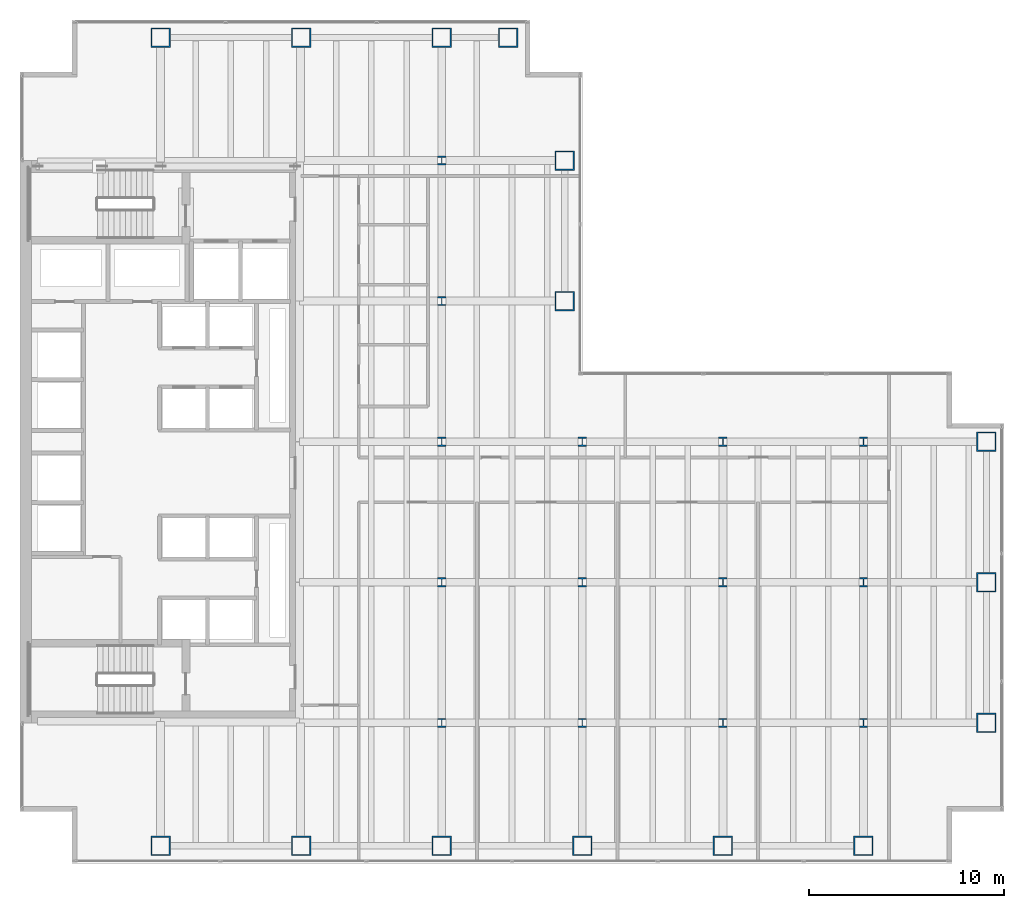
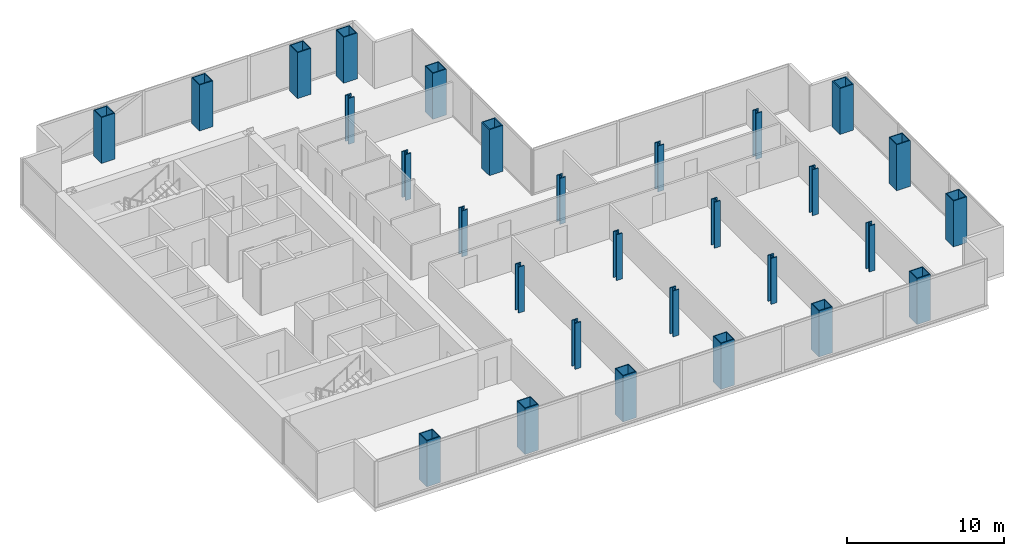
# One storey, part 1 of 23: 29 columns.
"""IFC4 building model written with IfcOpenShell, lengths in metres."""

from ifc_helpers import new_model, si_unit, direction, frame, origin, origin_2d, place, context, subcontext, project, spatial, hollow_rectangle, i_section, extrude, material, material_profile, profile_set, type_object, element, save


model = new_model("IFC4")

# Units and contexts
model_context = context("Model", 3, precision=1e-05, world=origin(), true_north=direction((0.0, 1.0)))
body_context = subcontext(model_context, "Body", "Model", "MODEL_VIEW")
ifc_project = project(units=[si_unit("LENGTHUNIT", "METRE"), si_unit("AREAUNIT", "SQUARE_METRE"), si_unit("VOLUMEUNIT", "CUBIC_METRE"), si_unit("PLANEANGLEUNIT", "RADIAN"), si_unit("MASSUNIT", "GRAM", prefix="KILO")], contexts=[model_context])

# Site, building, storey
site_placement = place(None, origin())
site = spatial("IfcSite", under=ifc_project, at=site_placement, CompositionType="ELEMENT")
building_placement = place(site_placement, origin())
building = spatial("IfcBuilding", under=site, at=building_placement, Name="Cobrela Telecom Tower", CompositionType="ELEMENT")
storey_placement = place(building_placement, frame((0.0, 0.0, 54.25)))
storey = spatial("IfcBuildingStorey", under=building, at=storey_placement, Name="L13", CompositionType="ELEMENT", Elevation=54.25)

# Columns
ifc_material_1 = material(Name="Steel ASTM A992 Grade 50", Category="steel")
ifc_material_profile_1 = material_profile(ifc_material_1, i_section(OverallWidth=0.422119140625, OverallDepth=0.465087890625, WebThickness=0.044921875, FlangeThickness=0.072509765625, FilletRadius=0.01806640625, at=origin_2d()), Name="W14X398")
ifc_profile_set_1 = profile_set([ifc_material_profile_1], Name="Steel ASTM A992 Grade 50")
column_type_1 = type_object("IfcColumnType", Name="COL-INT-04", PredefinedType="COLUMN", material=ifc_profile_set_1)
for number, where, z_axis, x_axis, name in (
    (1, (21.60009765625, 7.199951171875, 0.0), (0.0, 0.0, 1.0), (1.0, 0.0, 0.0), "L13 Interior Column 06"),
    (2, (21.60009765625, 14.39990234375, 0.0), (0.0, 0.0, 1.0), (1.0, 0.0, 0.0), "L13 Interior Column 07"),
    (3, (21.60009765625, 21.60009765625, 0.0), (0.0, 0.0, 1.0), (1.0, 0.0, 0.0), "L13 Interior Column 08"),
    (4, (21.60009765625, 28.800048828125, 0.0), (0.0, 0.0, 1.0), (1.0, 0.0, 0.0), "L13 Interior Column 09"),
    (5, (21.60009765625, 36.0, 0.0), (0.0, 0.0, 1.0), (1.0, 0.0, 0.0), "L13 Interior Column 10"),
    (6, (28.800048828125, 7.199951171875, 0.0), (0.0, 0.0, 1.0), (1.0, 0.0, 0.0), "L13 Interior Column 16"),
    (7, (28.800048828125, 14.39990234375, 0.0), (0.0, 0.0, 1.0), (1.0, 0.0, 0.0), "L13 Interior Column 17"),
    (8, (28.800048828125, 21.60009765625, 0.0), (0.0, 0.0, 1.0), (1.0, 0.0, 0.0), "L13 Interior Column 18"),
    (9, (36.0, 7.199951171875, 0.0), (0.0, 0.0, 1.0), (1.0, 0.0, 0.0), "L13 Interior Column 20"),
    (10, (36.0, 14.39990234375, 0.0), (0.0, 0.0, 1.0), (1.0, 0.0, 0.0), "L13 Interior Column 21"),
    (11, (36.0, 21.60009765625, 0.0), (0.0, 0.0, 1.0), (1.0, 0.0, 0.0), "L13 Interior Column 22"),
    (12, (43.199951171875, 7.199951171875, 0.0), (0.0, 0.0, 1.0), (1.0, 0.0, 0.0), "L13 Interior Column 24"),
    (13, (43.199951171875, 14.39990234375, 0.0), (0.0, 0.0, 1.0), (1.0, 0.0, 0.0), "L13 Interior Column 25"),
    (14, (43.199951171875, 21.60009765625, 0.0), (0.0, 0.0, 1.0), (1.0, 0.0, 0.0), "L13 Interior Column 26"),
):
    element("IfcColumn", number, at=place(storey_placement, frame(where, z_axis=z_axis, x_axis=x_axis)), inside=storey, type_object=column_type_1, Name=name, PredefinedType="COLUMN", context=body_context, shape_type="SweptSolid", body=[
        extrude(i_section(OverallWidth=0.422119140625, OverallDepth=0.465087890625, WebThickness=0.044921875, FlangeThickness=0.072509765625, FilletRadius=0.01806640625, at=origin_2d()), origin(), (0.0, 0.0, 1.0), 3.570068359375),
    ])
ifc_material_2 = material(Name="Steel ASTM A572 Grade 50", Category="steel")
ifc_material_profile_2 = material_profile(ifc_material_2, hollow_rectangle(XDim=1.0, YDim=1.0, WallThickness=0.06494140625, at=origin_2d()), Name="BOX 1000x1000x65")
ifc_profile_set_2 = profile_set([ifc_material_profile_2], Name="Steel ASTM A572 Grade 50")
column_type_2 = type_object("IfcColumnType", Name="COL-MEGA-03", PredefinedType="COLUMN", material=ifc_profile_set_2)
for number, where, z_axis, x_axis, name in (
    (15, (7.199951171875, 0.89990234375, 0.0), (0.0, 0.0, 1.0), (1.0, 0.0, 0.0), "L13 Perimeter Mega-Column 01"),
    (16, (7.199951171875, 42.300048828125, 0.0), (0.0, 0.0, 1.0), (1.0, 0.0, 0.0), "L13 Perimeter Mega-Column 02"),
    (17, (14.39990234375, 0.89990234375, 0.0), (0.0, 0.0, 1.0), (1.0, 0.0, 0.0), "L13 Perimeter Mega-Column 03"),
    (18, (14.39990234375, 42.300048828125, 0.0), (0.0, 0.0, 1.0), (1.0, 0.0, 0.0), "L13 Perimeter Mega-Column 04"),
    (19, (21.60009765625, 0.89990234375, 0.0), (0.0, 0.0, 1.0), (1.0, 0.0, 0.0), "L13 Perimeter Mega-Column 05"),
    (20, (21.60009765625, 42.300048828125, 0.0), (0.0, 0.0, 1.0), (1.0, 0.0, 0.0), "L13 Perimeter Mega-Column 11"),
    (21, (25.0, 42.300048828125, 0.0), (0.0, 0.0, 1.0), (1.0, 0.0, 0.0), "L13 Perimeter Mega-Column 12"),
    (22, (27.89990234375, 28.800048828125, 0.0), (0.0, 0.0, 1.0), (1.0, 0.0, 0.0), "L13 Perimeter Mega-Column 13"),
    (23, (27.89990234375, 36.0, 0.0), (0.0, 0.0, 1.0), (1.0, 0.0, 0.0), "L13 Perimeter Mega-Column 14"),
    (24, (28.800048828125, 0.89990234375, 0.0), (0.0, 0.0, 1.0), (1.0, 0.0, 0.0), "L13 Perimeter Mega-Column 15"),
    (25, (36.0, 0.89990234375, 0.0), (0.0, 0.0, 1.0), (1.0, 0.0, 0.0), "L13 Perimeter Mega-Column 19"),
    (26, (43.199951171875, 0.89990234375, 0.0), (0.0, 0.0, 1.0), (1.0, 0.0, 0.0), "L13 Perimeter Mega-Column 23"),
    (27, (49.5, 7.199951171875, 0.0), (0.0, 0.0, 1.0), (1.0, 0.0, 0.0), "L13 Perimeter Mega-Column 27"),
    (28, (49.5, 14.39990234375, 0.0), (0.0, 0.0, 1.0), (1.0, 0.0, 0.0), "L13 Perimeter Mega-Column 28"),
    (29, (49.5, 21.60009765625, 0.0), (0.0, 0.0, 1.0), (1.0, 0.0, 0.0), "L13 Perimeter Mega-Column 29"),
):
    element("IfcColumn", number, at=place(storey_placement, frame(where, z_axis=z_axis, x_axis=x_axis)), inside=storey, type_object=column_type_2, Name=name, PredefinedType="COLUMN", context=body_context, shape_type="SweptSolid", body=[
        extrude(hollow_rectangle(XDim=1.0, YDim=1.0, WallThickness=0.06494140625, at=origin_2d()), origin(), (0.0, 0.0, 1.0), 3.570068359375),
    ])

save(model, "model.ifc")
